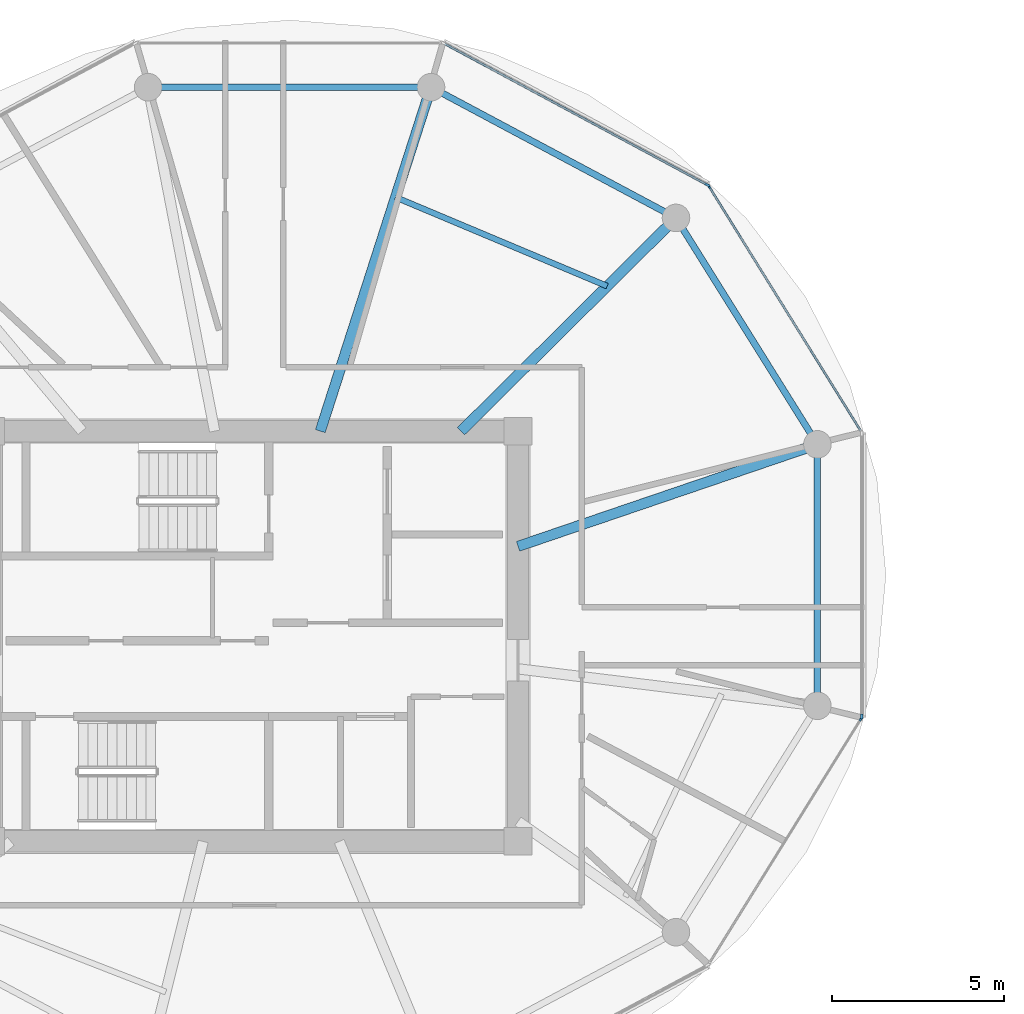
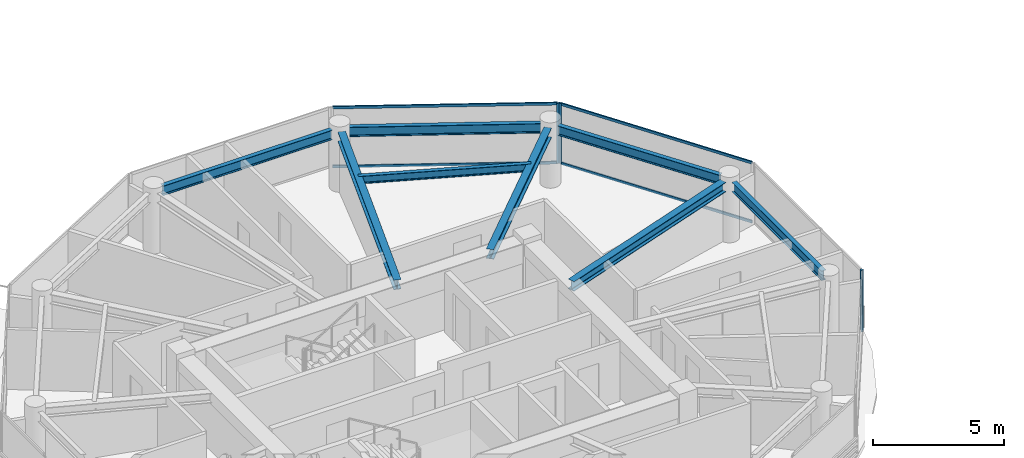
# One storey, part 5 of 23: 8 beams, 8 members, 4 elements without a shape of their own.
"""IFC4 building model written with IfcOpenShell, lengths in metres."""

from ifc_helpers import new_model, si_unit, direction, frame, origin, origin_2d, place, context, subcontext, project, spatial, rectangle, i_section, extrude, source, transform, mapped, material, layer, layer_set, material_profile, profile_set, type_object, type_shapes, element, aggregate, save


model = new_model("IFC4")

# Units and contexts
model_context = context("Model", 3, precision=1e-05, world=origin(), true_north=direction((0.0, 1.0)))
body_context = subcontext(model_context, "Body", "Model", "MODEL_VIEW")
ifc_project = project(units=[si_unit("LENGTHUNIT", "METRE"), si_unit("AREAUNIT", "SQUARE_METRE"), si_unit("VOLUMEUNIT", "CUBIC_METRE"), si_unit("PLANEANGLEUNIT", "RADIAN"), si_unit("MASSUNIT", "GRAM", prefix="KILO")], contexts=[model_context])

# Site, building, storey
site_placement = place(None, origin())
site = spatial("IfcSite", under=ifc_project, at=site_placement, CompositionType="ELEMENT")
building_placement = place(site_placement, origin())
building = spatial("IfcBuilding", under=site, at=building_placement, Name="Norrkilde Senior Care Towers", CompositionType="ELEMENT")
storey_placement = place(building_placement, frame((0.0, 0.0, 158.699951171875)))
storey = spatial("IfcBuildingStorey", under=building, at=storey_placement, Name="L49", CompositionType="ELEMENT", Elevation=158.699951171875)

# Beams
ifc_material_1 = material(Name="Steel S355", Category="steel")
ifc_material_profile_1 = material_profile(ifc_material_1, i_section(OverallWidth=0.18994140625, OverallDepth=0.449951171875, WebThickness=0.009521484375, FlangeThickness=0.0146484375, FilletRadius=0.02099609375, at=origin_2d()), Name="IPE 450")
ifc_profile_set_1 = profile_set([ifc_material_profile_1], Name="Steel S355")
beam_type_1 = type_object("IfcBeamType", Name="Perimeter Ring Spandrel Z3 IPE450", PredefinedType="SPANDREL", material=ifc_profile_set_1)
shared_shape_1 = source(origin(), body_context, "Body", "SweptSolid", [
    extrude(i_section(OverallWidth=0.18994140625, OverallDepth=0.449951171875, WebThickness=0.009521484375, FlangeThickness=0.0146484375, FilletRadius=0.02099609375, at=origin_2d()), origin(), (0.0, 0.0, 1.0), 7.0234375),
])
beam_1_placement = place(storey_placement, frame((-11.855712890625, 5.872314453125, 2.5849609375), z_axis=(-0.529789577822, 0.848129119433, 0.0), x_axis=(-0.848129119433, -0.529789577822, 0.0)))
element("IfcBeam", 1, at=beam_1_placement, inside=storey, type_object=beam_type_1, Name="L49 Drum W Perimeter Spandrel 01", PredefinedType="SPANDREL", context=body_context, shape_type="MappedRepresentation", body=[
    mapped(shared_shape_1, transform((0.0, 0.0, 0.0), x_axis=(1.0, 0.0, 0.0), y_axis=(0.0, 1.0, 0.0), z_axis=(0.0, 0.0, 1.0), scale=1.0)),
])
ifc_material_profile_2 = material_profile(ifc_material_1, i_section(OverallWidth=0.300048828125, OverallDepth=0.449951171875, WebThickness=0.013916015625, FlangeThickness=0.02587890625, FilletRadius=0.027099609375, at=origin_2d()), Name="HEB 450")
ifc_profile_set_2 = profile_set([ifc_material_profile_2], Name="Steel S355")
beam_type_2 = type_object("IfcBeamType", Name="Radial Floor Beam Z3 HEB450", PredefinedType="BEAM", material=ifc_profile_set_2)
shared_shape_2 = source(origin(), body_context, "Body", "SweptSolid", [
    extrude(i_section(OverallWidth=0.300048828125, OverallDepth=0.449951171875, WebThickness=0.013916015625, FlangeThickness=0.02587890625, FilletRadius=0.027099609375, at=origin_2d()), origin(), (0.0, 0.0, 1.0), 8.8154296875),
])
beam_2_placement = place(storey_placement, frame((-20.35009765625, 2.607177734375, 2.5849609375), z_axis=(0.946540556878, 0.322584832539, 0.0), x_axis=(-0.322584832539, 0.946540556878, 0.0)))
element("IfcBeam", 2, at=beam_2_placement, inside=storey, type_object=beam_type_2, Name="L49 Drum W Radial Floor Beam 01", PredefinedType="BEAM", context=body_context, shape_type="MappedRepresentation", body=[
    mapped(shared_shape_2, transform((0.0, 0.0, 0.0), x_axis=(1.0, 0.0, 0.0), y_axis=(0.0, 1.0, 0.0), z_axis=(0.0, 0.0, 1.0), scale=1.0)),
])
shared_shape_3 = source(origin(), body_context, "Body", "SweptSolid", [
    extrude(i_section(OverallWidth=0.18994140625, OverallDepth=0.449951171875, WebThickness=0.009521484375, FlangeThickness=0.0146484375, FilletRadius=0.02099609375, at=origin_2d()), origin(), (0.0, 0.0, 1.0), 7.333740234375),
])
beam_3_placement = place(storey_placement, frame((-16.0849609375, 12.303955078125, 2.5849609375), z_axis=(-0.882247866069, 0.470785198172, 0.0), x_axis=(-0.470785198172, -0.882247866069, 0.0)))
element("IfcBeam", 3, at=beam_3_placement, inside=storey, type_object=beam_type_1, Name="L49 Drum W Perimeter Spandrel 02", PredefinedType="SPANDREL", context=body_context, shape_type="MappedRepresentation", body=[
    mapped(shared_shape_3, transform((0.0, 0.0, 0.0), x_axis=(1.0, 0.0, 0.0), y_axis=(0.0, 1.0, 0.0), z_axis=(0.0, 0.0, 1.0), scale=1.0)),
])
shared_shape_4 = source(origin(), body_context, "Body", "SweptSolid", [
    extrude(i_section(OverallWidth=0.300048828125, OverallDepth=0.449951171875, WebThickness=0.013916015625, FlangeThickness=0.02587890625, FilletRadius=0.027099609375, at=origin_2d()), origin(), (0.0, 0.0, 1.0), 8.421630859375),
])
beam_4_placement = place(storey_placement, frame((-22.001953125, 5.949951171875, 2.5849609375), z_axis=(0.709956495972, 0.704245535184, 0.0), x_axis=(-0.704245535184, 0.709956495972, 0.0)))
element("IfcBeam", 4, at=beam_4_placement, inside=storey, type_object=beam_type_2, Name="L49 Drum W Radial Floor Beam 02", PredefinedType="BEAM", context=body_context, shape_type="MappedRepresentation", body=[
    mapped(shared_shape_4, transform((0.0, 0.0, 0.0), x_axis=(1.0, 0.0, 0.0), y_axis=(0.0, 1.0, 0.0), z_axis=(0.0, 0.0, 1.0), scale=1.0)),
])
shared_shape_5 = source(origin(), body_context, "Body", "SweptSolid", [
    extrude(i_section(OverallWidth=0.18994140625, OverallDepth=0.449951171875, WebThickness=0.009521484375, FlangeThickness=0.0146484375, FilletRadius=0.02099609375, at=origin_2d()), origin(), (0.0, 0.0, 1.0), 7.484619140625),
])
beam_5_placement = place(storey_placement, frame((-23.232666015625, 15.92626953125, 2.5849609375), z_axis=(-1.0, 0.0, 0.0), x_axis=(0.0, -1.0, 0.0)))
element("IfcBeam", 5, at=beam_5_placement, inside=storey, type_object=beam_type_1, Name="L49 Drum W Perimeter Spandrel 03", PredefinedType="SPANDREL", context=body_context, shape_type="MappedRepresentation", body=[
    mapped(shared_shape_5, transform((0.0, 0.0, 0.0), x_axis=(1.0, 0.0, 0.0), y_axis=(0.0, 1.0, 0.0), z_axis=(0.0, 0.0, 1.0), scale=1.0)),
])
shared_shape_6 = source(origin(), body_context, "Body", "SweptSolid", [
    extrude(i_section(OverallWidth=0.300048828125, OverallDepth=0.449951171875, WebThickness=0.013916015625, FlangeThickness=0.02587890625, FilletRadius=0.027099609375, at=origin_2d()), origin(), (0.0, 0.0, 1.0), 10.120361328125),
])
type_shapes(beam_type_2, [shared_shape_2, shared_shape_4, shared_shape_6])
beam_6_placement = place(storey_placement, frame((-26.08447265625, 5.949951171875, 2.5849609375), z_axis=(0.306440973744, 0.951889662519, 0.0), x_axis=(-0.951889662519, 0.306440973744, 0.0)))
element("IfcBeam", 6, at=beam_6_placement, inside=storey, type_object=beam_type_2, Name="L49 Drum W Radial Floor Beam 03", PredefinedType="BEAM", context=body_context, shape_type="MappedRepresentation", body=[
    mapped(shared_shape_6, transform((0.0, 0.0, 0.0), x_axis=(1.0, 0.0, 0.0), y_axis=(0.0, 1.0, 0.0), z_axis=(0.0, 0.0, 1.0), scale=1.0)),
])
shared_shape_7 = source(origin(), body_context, "Body", "SweptSolid", [
    extrude(i_section(OverallWidth=0.18994140625, OverallDepth=0.449951171875, WebThickness=0.009521484375, FlangeThickness=0.0146484375, FilletRadius=0.02099609375, at=origin_2d()), origin(), (0.0, 0.0, 1.0), 6.86328125),
])
type_shapes(beam_type_1, [shared_shape_1, shared_shape_3, shared_shape_5, shared_shape_7])
beam_7_placement = place(storey_placement, frame((-11.6650390625, -1.65625, 2.5849609375), z_axis=(0.0, 1.0, 0.0), x_axis=(-1.0, 0.0, 0.0)))
element("IfcBeam", 7, at=beam_7_placement, inside=storey, type_object=beam_type_1, Name="L49 Drum W Perimeter Spandrel 12", PredefinedType="SPANDREL", context=body_context, shape_type="MappedRepresentation", body=[
    mapped(shared_shape_7, transform((0.0, 0.0, 0.0), x_axis=(1.0, 0.0, 0.0), y_axis=(0.0, 1.0, 0.0), z_axis=(0.0, 0.0, 1.0), scale=1.0)),
])
ifc_material_profile_3 = material_profile(ifc_material_1, i_section(OverallWidth=0.169921875, OverallDepth=0.360107421875, WebThickness=0.008056640625, FlangeThickness=0.0126953125, FilletRadius=0.01806640625, at=origin_2d()), Name="IPE 360")
ifc_profile_set_3 = profile_set([ifc_material_profile_3], Name="Steel S355")
beam_type_3 = type_object("IfcBeamType", Name="Secondary Floor Joist IPE360", PredefinedType="JOIST", material=ifc_profile_set_3)
shared_shape_8 = source(origin(), body_context, "Body", "SweptSolid", [
    extrude(i_section(OverallWidth=0.169921875, OverallDepth=0.360107421875, WebThickness=0.008056640625, FlangeThickness=0.0126953125, FilletRadius=0.01806640625, at=origin_2d()), origin(), (0.0, 0.0, 1.0), 6.657470703125),
])
type_shapes(beam_type_3, [shared_shape_8])
beam_8_placement = place(storey_placement, frame((-17.762451171875, 10.155517578125, 2.630126953125), z_axis=(-0.921958799252, 0.387287971, 0.0), x_axis=(-0.387287971, -0.921958799252, 0.0)))
element("IfcBeam", 8, at=beam_8_placement, inside=storey, type_object=beam_type_3, Name="L49 Drum W Secondary Floor Joist 1", PredefinedType="JOIST", context=body_context, shape_type="MappedRepresentation", body=[
    mapped(shared_shape_8, transform((0.0, 0.0, 0.0), x_axis=(1.0, 0.0, 0.0), y_axis=(0.0, 1.0, 0.0), z_axis=(0.0, 0.0, 1.0), scale=1.0)),
])

# Curtain wall, member
ifc_material_2 = material(Name="Triple Low-E Insulated Glazing", Category="glass")
ifc_layer = layer(ifc_material_2, 0.18994140625)
ifc_layer_set = layer_set([ifc_layer], Name="Triple Low-E Insulated Glazing")
curtain_wall_type = type_object("IfcCurtainWallType", Name="CW4 Zone 3 Senior Residence Curtain Wall", PredefinedType="NOTDEFINED", material=ifc_layer_set)
curtain_wall_1_placement = place(storey_placement, origin())
curtain_wall_1 = element("IfcCurtainWall", 9, at=curtain_wall_1_placement, inside=storey, type_object=curtain_wall_type, Name="L49 Drum W Curtain Wall 00", PredefinedType="NOTDEFINED")
ifc_material_3 = material(Name="Anodised Aluminium", Category="aluminium")
ifc_material_profile_4 = material_profile(ifc_material_3, rectangle(XDim=0.06494140625, YDim=0.14990234375, at=origin_2d()), Name="ALU MULL 65x150")
ifc_profile_set_4 = profile_set([ifc_material_profile_4], Name="Anodised Aluminium")
member_type_1 = type_object("IfcMemberType", Name="Curtain Wall Mullion Z3-Z4 65x150", PredefinedType="MULLION", material=ifc_profile_set_4)
shared_shape_9 = source(origin(), body_context, "Body", "SweptSolid", [
    extrude(rectangle(XDim=0.06494140625, YDim=0.14990234375, at=origin_2d()), origin(), (0.0, 0.0, 1.0), 2.81005859375),
])
type_shapes(member_type_1, [shared_shape_9])
member_1_placement = place(storey_placement, frame((-14.809814453125, 13.04736328125, 0.0), z_axis=(0.0, 0.0, 1.0), x_axis=(0.84963405474, 0.52737270789, 0.0)))
member_1 = element("IfcMember", 10, at=member_1_placement, type_object=member_type_1, Name="CW-4 mullion 1", PredefinedType="MULLION", context=body_context, shape_type="MappedRepresentation", body=[
    mapped(shared_shape_9, transform((0.0, 0.0, 0.0), x_axis=(1.0, 0.0, 0.0), y_axis=(0.0, 1.0, 0.0), z_axis=(0.0, 0.0, 1.0), scale=1.0)),
])

curtain_wall_2_placement = place(storey_placement, origin())
curtain_wall_2 = element("IfcCurtainWall", 11, at=curtain_wall_2_placement, inside=storey, type_object=curtain_wall_type, Name="L49 Drum W Curtain Wall 01", PredefinedType="NOTDEFINED")
member_2_placement = place(storey_placement, frame((-14.85546875, 13.09033203125, 0.0), z_axis=(0.0, 0.0, 1.0), x_axis=(0.47311715104, 0.880999524059, 0.0)))
member_2 = element("IfcMember", 12, at=member_2_placement, type_object=member_type_1, Name="CW-4 mullion 2", PredefinedType="MULLION", context=body_context, shape_type="MappedRepresentation", body=[
    mapped(shared_shape_9, transform((0.0, 0.0, 0.0), x_axis=(1.0, 0.0, 0.0), y_axis=(0.0, 1.0, 0.0), z_axis=(0.0, 0.0, 1.0), scale=1.0)),
])

curtain_wall_3_placement = place(storey_placement, origin())
curtain_wall_3 = element("IfcCurtainWall", 13, at=curtain_wall_3_placement, inside=storey, type_object=curtain_wall_type, Name="L49 Drum W Curtain Wall 10", PredefinedType="NOTDEFINED")
member_3_placement = place(storey_placement, frame((-10.3974609375, -2.38818359375, 0.0), z_axis=(0.0, 0.0, 1.0), x_axis=(0.84963405474, -0.52737270789, 0.0)))
member_3 = element("IfcMember", 14, at=member_3_placement, type_object=member_type_1, Name="CW-4 mullion 1", PredefinedType="MULLION", context=body_context, shape_type="MappedRepresentation", body=[
    mapped(shared_shape_9, transform((0.0, 0.0, 0.0), x_axis=(1.0, 0.0, 0.0), y_axis=(0.0, 1.0, 0.0), z_axis=(0.0, 0.0, 1.0), scale=1.0)),
])
aggregate(curtain_wall_3, [member_3])

curtain_wall_4_placement = place(storey_placement, origin())
curtain_wall_4 = element("IfcCurtainWall", 15, at=curtain_wall_4_placement, inside=storey, type_object=curtain_wall_type, Name="L49 Drum W Curtain Wall 11", PredefinedType="NOTDEFINED")
member_4_placement = place(storey_placement, frame((-10.38037109375, -2.328125, 0.0), z_axis=(0.0, 0.0, 1.0), x_axis=(1.0, 0.0, 0.0)))
member_4 = element("IfcMember", 16, at=member_4_placement, type_object=member_type_1, Name="CW-4 mullion 2", PredefinedType="MULLION", context=body_context, shape_type="MappedRepresentation", body=[
    mapped(shared_shape_9, transform((0.0, 0.0, 0.0), x_axis=(1.0, 0.0, 0.0), y_axis=(0.0, 1.0, 0.0), z_axis=(0.0, 0.0, 1.0), scale=1.0)),
])
aggregate(curtain_wall_4, [member_4])

# Member
ifc_material_profile_5 = material_profile(ifc_material_3, rectangle(XDim=0.06005859375, YDim=0.1201171875, at=origin_2d()), Name="ALU TRAN 60x120")
ifc_profile_set_5 = profile_set([ifc_material_profile_5], Name="Anodised Aluminium")
member_type_2 = type_object("IfcMemberType", Name="Curtain Wall Transom Typical 60x120", PredefinedType="USERDEFINED", material=ifc_profile_set_5)
shared_shape_10 = source(origin(), body_context, "Body", "SweptSolid", [
    extrude(rectangle(XDim=0.06005859375, YDim=0.1201171875, at=origin_2d()), origin(), (0.0, 0.0, 1.0), 8.301513671875),
])
member_5_placement = place(storey_placement, frame((-14.792724609375, 13.019775390625, 0.030029296875), z_axis=(0.527368718394, -0.849636531029, 0.0), x_axis=(0.849636531029, 0.527368718394, 0.0)))
member_5 = element("IfcMember", 17, at=member_5_placement, type_object=member_type_2, Name="CW-4 transom 1.1", ObjectType="TRANSOM", PredefinedType="USERDEFINED", context=body_context, shape_type="MappedRepresentation", body=[
    mapped(shared_shape_10, transform((0.0, 0.0, 0.0), x_axis=(1.0, 0.0, 0.0), y_axis=(0.0, 1.0, 0.0), z_axis=(0.0, 0.0, 1.0), scale=1.0)),
])

member_6_placement = place(storey_placement, frame((-14.792724609375, 13.019775390625, 2.780029296875), z_axis=(0.527368718394, -0.849636531029, 0.0), x_axis=(0.849636531029, 0.527368718394, 0.0)))
member_6 = element("IfcMember", 18, at=member_6_placement, type_object=member_type_2, Name="CW-4 transom 1.2", ObjectType="TRANSOM", PredefinedType="USERDEFINED", context=body_context, shape_type="MappedRepresentation", body=[
    mapped(shared_shape_10, transform((0.0, 0.0, 0.0), x_axis=(1.0, 0.0, 0.0), y_axis=(0.0, 1.0, 0.0), z_axis=(0.0, 0.0, 1.0), scale=1.0)),
])

aggregate(curtain_wall_1, [member_1, member_5, member_6])

shared_shape_11 = source(origin(), body_context, "Body", "SweptSolid", [
    extrude(rectangle(XDim=0.06005859375, YDim=0.1201171875, at=origin_2d()), origin(), (0.0, 0.0, 1.0), 8.61181640625),
])
type_shapes(member_type_2, [shared_shape_10, shared_shape_11])
member_7_placement = place(storey_placement, frame((-22.47119140625, 17.18017578125, 0.030029296875), z_axis=(0.880993991641, -0.473127452906, 0.0), x_axis=(0.473127452906, 0.880993991641, 0.0)))
member_7 = element("IfcMember", 19, at=member_7_placement, type_object=member_type_2, Name="CW-4 transom 1.1", ObjectType="TRANSOM", PredefinedType="USERDEFINED", context=body_context, shape_type="MappedRepresentation", body=[
    mapped(shared_shape_11, transform((0.0, 0.0, 0.0), x_axis=(1.0, 0.0, 0.0), y_axis=(0.0, 1.0, 0.0), z_axis=(0.0, 0.0, 1.0), scale=1.0)),
])

member_8_placement = place(storey_placement, frame((-22.47119140625, 17.18017578125, 2.780029296875), z_axis=(0.880993991641, -0.473127452906, 0.0), x_axis=(0.473127452906, 0.880993991641, 0.0)))
member_8 = element("IfcMember", 20, at=member_8_placement, type_object=member_type_2, Name="CW-4 transom 1.2", ObjectType="TRANSOM", PredefinedType="USERDEFINED", context=body_context, shape_type="MappedRepresentation", body=[
    mapped(shared_shape_11, transform((0.0, 0.0, 0.0), x_axis=(1.0, 0.0, 0.0), y_axis=(0.0, 1.0, 0.0), z_axis=(0.0, 0.0, 1.0), scale=1.0)),
])

aggregate(curtain_wall_2, [member_2, member_7, member_8])

save(model, "model.ifc")
